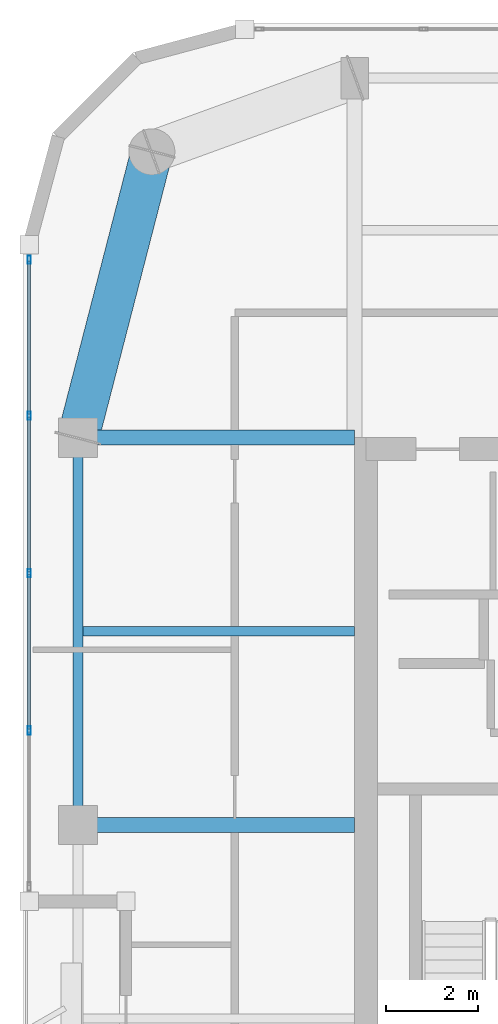
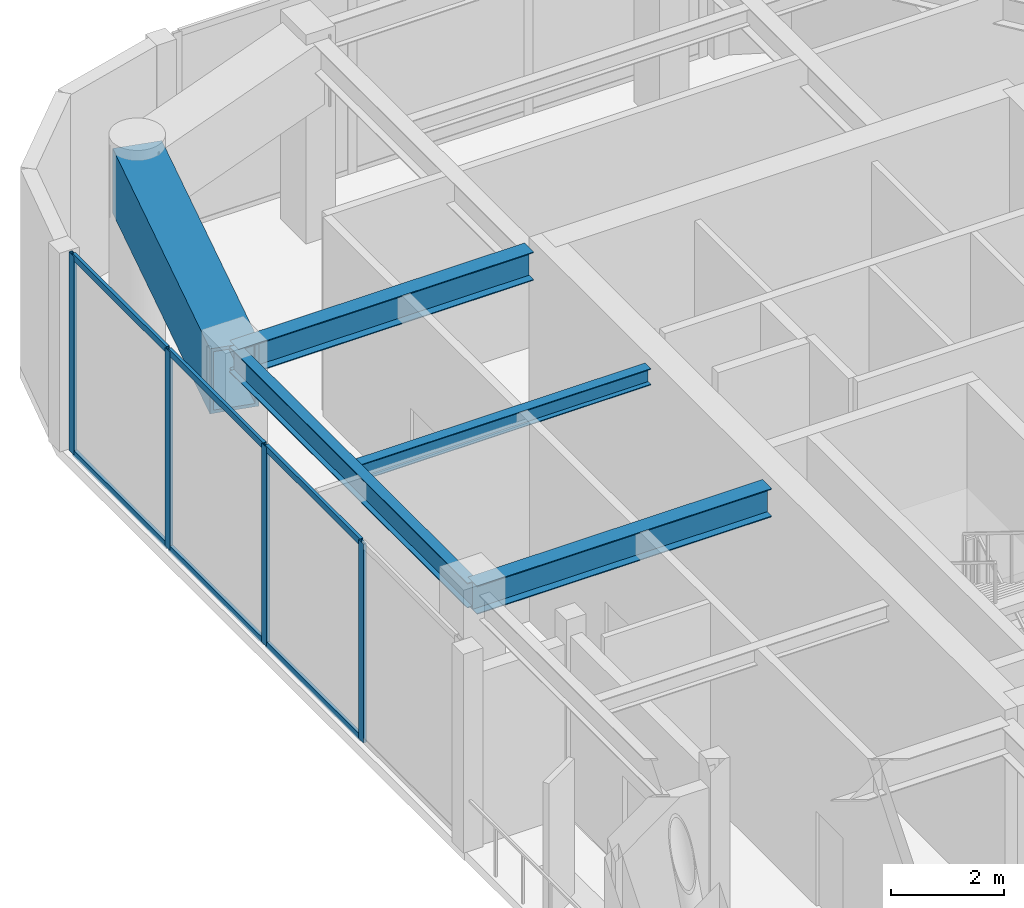
# One storey, part 4 of 15: 10 members, 5 beams, 1 element without a shape of its own.
"""IFC4 building model written with IfcOpenShell, lengths in metres."""

from ifc_helpers import new_model, si_unit, direction, frame, origin, origin_2d, place, context, subcontext, project, spatial, hollow_rectangle, i_section, extrude, material, layer, layer_set, material_profile, profile_set, type_object, element, aggregate, save


model = new_model("IFC4")

# Units and contexts
model_context = context("Model", 3, precision=1e-05, world=origin(), true_north=direction((0.0, 1.0)))
body_context = subcontext(model_context, "Body", "Model", "MODEL_VIEW")
ifc_project = project(units=[si_unit("LENGTHUNIT", "METRE"), si_unit("AREAUNIT", "SQUARE_METRE"), si_unit("VOLUMEUNIT", "CUBIC_METRE"), si_unit("PLANEANGLEUNIT", "RADIAN"), si_unit("MASSUNIT", "GRAM", prefix="KILO")], contexts=[model_context])

# Site, building, storey
site_placement = place(None, origin())
site = spatial("IfcSite", under=ifc_project, at=site_placement, CompositionType="ELEMENT")
building_placement = place(site_placement, origin())
building = spatial("IfcBuilding", under=site, at=building_placement, Name="Kiyonajd Concourse Tower", CompositionType="ELEMENT")
storey_placement = place(building_placement, frame((0.0, 0.0, 342.0)))
storey = spatial("IfcBuildingStorey", under=building, at=storey_placement, Name="L86", CompositionType="ELEMENT", Elevation=342.0)

# Beams
ifc_material_1 = material(Name="Steel ASTM A992 Grade 50", Category="steel")
ifc_material_profile_1 = material_profile(ifc_material_1, i_section(OverallWidth=0.205078125, OverallDepth=0.35400390625, WebThickness=0.009521484375, FlangeThickness=0.016845703125, at=origin_2d()), Name="W360X79")
ifc_profile_set_1 = profile_set([ifc_material_profile_1], Name="Steel ASTM A992 Grade 50")
beam_type_1 = type_object("IfcBeamType", Name="BM-JST-360", PredefinedType="JOIST", material=ifc_profile_set_1)
beam_1_placement = place(storey_placement, frame((26.505615234375, 40.199951171875, 4.10302734375), z_axis=(1.0, 0.0, 0.0), x_axis=(0.0, 1.0, 0.0)))
element("IfcBeam", 1, at=beam_1_placement, inside=storey, type_object=beam_type_1, Name="L86 West Secondary Floor Joist", PredefinedType="JOIST", context=body_context, shape_type="SweptSolid", body=[
    extrude(i_section(OverallWidth=0.205078125, OverallDepth=0.35400390625, WebThickness=0.009521484375, FlangeThickness=0.016845703125, at=origin_2d()), origin(), (0.0, 0.0, 1.0), 5.894287109375),
])
ifc_material_profile_2 = material_profile(ifc_material_1, i_section(OverallWidth=0.2109375, OverallDepth=0.5390625, WebThickness=0.01171875, FlangeThickness=0.018798828125, at=origin_2d()), Name="W530X109")
ifc_profile_set_2 = profile_set([ifc_material_profile_2], Name="Steel ASTM A992 Grade 50")
beam_type_2 = type_object("IfcBeamType", Name="BM-SPAN-530B", PredefinedType="SPANDREL", material=ifc_profile_set_2)
beam_2_placement = place(storey_placement, frame((26.39990234375, 44.39990234375, 4.010498046875), z_axis=(0.0, -1.0, 0.0), x_axis=(1.0, 0.0, 0.0)))
element("IfcBeam", 2, at=beam_2_placement, inside=storey, type_object=beam_type_2, Name="L86 Perimeter Bundled Tube Spandrel", PredefinedType="SPANDREL", context=body_context, shape_type="SweptSolid", body=[
    extrude(i_section(OverallWidth=0.2109375, OverallDepth=0.5390625, WebThickness=0.01171875, FlangeThickness=0.018798828125, at=origin_2d()), origin(), (0.0, 0.0, 1.0), 8.39990234375),
])
ifc_material_profile_3 = material_profile(ifc_material_1, i_section(OverallWidth=0.323974609375, OverallDepth=0.611083984375, WebThickness=0.0126953125, FlangeThickness=0.01904296875, at=origin_2d()), Name="W610X155")
ifc_profile_set_3 = profile_set([ifc_material_profile_3], Name="Steel ASTM A992 Grade 50")
beam_type_3 = type_object("IfcBeamType", Name="BM-TWR-610B", PredefinedType="BEAM", material=ifc_profile_set_3)
for number, where, z_axis, x_axis, name in (
    (3, (26.39990234375, 36.0, 3.974609375), (1.0, 0.0, 0.0), (0.0, 1.0, 0.0), "L86 West Lease Girder"),
    (4, (26.39990234375, 44.39990234375, 3.974609375), (1.0, 0.0, 0.0), (0.0, 1.0, 0.0), "L86 West Lease Girder"),
):
    element("IfcBeam", number, at=place(storey_placement, frame(where, z_axis=z_axis, x_axis=x_axis)), inside=storey, type_object=beam_type_3, Name=name, PredefinedType="BEAM", context=body_context, shape_type="SweptSolid", body=[
        extrude(i_section(OverallWidth=0.323974609375, OverallDepth=0.611083984375, WebThickness=0.0126953125, FlangeThickness=0.01904296875, at=origin_2d()), origin(), (0.0, 0.0, 1.0), 6.0),
    ])
ifc_material_2 = material(Name="Steel ASTM A572 Grade 50", Category="steel")
ifc_material_profile_4 = material_profile(ifc_material_2, hollow_rectangle(XDim=0.89990234375, YDim=1.39990234375, WallThickness=0.070068359375, at=origin_2d()), Name="BOX-1400x900x70")
ifc_profile_set_4 = profile_set([ifc_material_profile_4], Name="Steel ASTM A572 Grade 50")
beam_type_4 = type_object("IfcBeamType", Name="BM-XFER-1400", PredefinedType="BEAM", material=ifc_profile_set_4)
beam_3_placement = place(storey_placement, frame((28.0, 50.60009765625, 3.580078125), z_axis=(-0.249884937687, -0.968275538221, 0.0), x_axis=(0.968275538221, -0.249884937687, 0.0)))
element("IfcBeam", 5, at=beam_3_placement, inside=storey, type_object=beam_type_4, Name="L86 Perimeter Bundled Tube Spandrel", PredefinedType="BEAM", context=body_context, shape_type="SweptSolid", body=[
    extrude(hollow_rectangle(XDim=0.89990234375, YDim=1.39990234375, WallThickness=0.070068359375, at=origin_2d()), origin(), (0.0, 0.0, 1.0), 6.4033203125),
])

# Curtain wall, members
ifc_material_3 = material(Name="Thermally Broken Anodised Aluminium", Category="aluminium")
ifc_layer = layer(ifc_material_3, 0.179931640625)
ifc_layer_set = layer_set([ifc_layer], Name="Thermally Broken Anodised Aluminium")
curtain_wall_type = type_object("IfcCurtainWallType", Name="CW-SYS-04", PredefinedType="NOTDEFINED", material=ifc_layer_set)
curtain_wall_placement = place(storey_placement, origin())
curtain_wall = element("IfcCurtainWall", 6, at=curtain_wall_placement, inside=storey, type_object=curtain_wall_type, Name="L86 Unitised Curtain Wall CW4", PredefinedType="NOTDEFINED")
ifc_material_profile_5 = material_profile(ifc_material_3, hollow_rectangle(XDim=0.06494140625, YDim=0.179931640625, WallThickness=0.00390625, at=origin_2d()), Name="MULL-65x180")
ifc_profile_set_5 = profile_set([ifc_material_profile_5], Name="Thermally Broken Anodised Aluminium")
member_type_1 = type_object("IfcMemberType", Name="MB-CW-MULL1", PredefinedType="MULLION", material=ifc_profile_set_5)
member_1_placement = place(storey_placement, frame((25.340087890625, 38.04541015625, 0.0), z_axis=(0.0, 0.0, 1.0), x_axis=(-1.0, 0.0, 0.0)))
member_1 = element("IfcMember", 7, at=member_1_placement, type_object=member_type_1, Name="CW4 mullion 2", PredefinedType="MULLION", context=body_context, shape_type="SweptSolid", body=[
    extrude(hollow_rectangle(XDim=0.06494140625, YDim=0.179931640625, WallThickness=0.00390625, at=origin_2d()), origin(), (0.0, 0.0, 1.0), 4.280029296875),
])
member_2_placement = place(storey_placement, frame((25.340087890625, 41.460693359375, 0.0), z_axis=(0.0, 0.0, 1.0), x_axis=(-1.0, 0.0, 0.0)))
member_2 = element("IfcMember", 8, at=member_2_placement, type_object=member_type_1, Name="CW4 mullion 3", PredefinedType="MULLION", context=body_context, shape_type="SweptSolid", body=[
    extrude(hollow_rectangle(XDim=0.06494140625, YDim=0.179931640625, WallThickness=0.00390625, at=origin_2d()), origin(), (0.0, 0.0, 1.0), 4.280029296875),
])
member_3_placement = place(storey_placement, frame((25.340087890625, 44.876220703125, 0.0), z_axis=(0.0, 0.0, 1.0), x_axis=(-1.0, 0.0, 0.0)))
member_3 = element("IfcMember", 9, at=member_3_placement, type_object=member_type_1, Name="CW4 mullion 4", PredefinedType="MULLION", context=body_context, shape_type="SweptSolid", body=[
    extrude(hollow_rectangle(XDim=0.06494140625, YDim=0.179931640625, WallThickness=0.00390625, at=origin_2d()), origin(), (0.0, 0.0, 1.0), 4.280029296875),
])
member_4_placement = place(storey_placement, frame((25.340087890625, 48.259033203125, 0.0), z_axis=(0.0, 0.0, 1.0), x_axis=(-1.0, 0.0, 0.0)))
member_4 = element("IfcMember", 10, at=member_4_placement, type_object=member_type_1, Name="CW4 mullion 5", PredefinedType="MULLION", context=body_context, shape_type="SweptSolid", body=[
    extrude(hollow_rectangle(XDim=0.06494140625, YDim=0.179931640625, WallThickness=0.00390625, at=origin_2d()), origin(), (0.0, 0.0, 1.0), 4.280029296875),
])
ifc_material_profile_6 = material_profile(ifc_material_3, hollow_rectangle(XDim=0.06494140625, YDim=0.139892578125, WallThickness=0.00390625, at=origin_2d()), Name="TRAN-65x140")
ifc_profile_set_6 = profile_set([ifc_material_profile_6], Name="Thermally Broken Anodised Aluminium")
member_type_2 = type_object("IfcMemberType", Name="MB-CW-TRAN1", PredefinedType="USERDEFINED", material=ifc_profile_set_6)
member_5_placement = place(storey_placement, frame((25.340087890625, 38.077880859375, 0.032470703125), z_axis=(0.0, 1.0, 0.0), x_axis=(-1.0, 0.0, 0.0)))
member_5 = element("IfcMember", 11, at=member_5_placement, type_object=member_type_2, Name="CW4 transom 2.1", ObjectType="TRANSOM", PredefinedType="USERDEFINED", context=body_context, shape_type="SweptSolid", body=[
    extrude(hollow_rectangle(XDim=0.06494140625, YDim=0.139892578125, WallThickness=0.00390625, at=origin_2d()), origin(), (0.0, 0.0, 1.0), 3.350341796875),
])
member_6_placement = place(storey_placement, frame((25.340087890625, 38.077880859375, 4.24755859375), z_axis=(0.0, 1.0, 0.0), x_axis=(-1.0, 0.0, 0.0)))
member_6 = element("IfcMember", 12, at=member_6_placement, type_object=member_type_2, Name="CW4 transom 2.2", ObjectType="TRANSOM", PredefinedType="USERDEFINED", context=body_context, shape_type="SweptSolid", body=[
    extrude(hollow_rectangle(XDim=0.06494140625, YDim=0.139892578125, WallThickness=0.00390625, at=origin_2d()), origin(), (0.0, 0.0, 1.0), 3.350341796875),
])
member_7_placement = place(storey_placement, frame((25.340087890625, 41.493408203125, 0.032470703125), z_axis=(0.0, 1.0, 0.0), x_axis=(-1.0, 0.0, 0.0)))
member_7 = element("IfcMember", 13, at=member_7_placement, type_object=member_type_2, Name="CW4 transom 3.1", ObjectType="TRANSOM", PredefinedType="USERDEFINED", context=body_context, shape_type="SweptSolid", body=[
    extrude(hollow_rectangle(XDim=0.06494140625, YDim=0.139892578125, WallThickness=0.00390625, at=origin_2d()), origin(), (0.0, 0.0, 1.0), 3.350341796875),
])
member_8_placement = place(storey_placement, frame((25.340087890625, 41.493408203125, 4.24755859375), z_axis=(0.0, 1.0, 0.0), x_axis=(-1.0, 0.0, 0.0)))
member_8 = element("IfcMember", 14, at=member_8_placement, type_object=member_type_2, Name="CW4 transom 3.2", ObjectType="TRANSOM", PredefinedType="USERDEFINED", context=body_context, shape_type="SweptSolid", body=[
    extrude(hollow_rectangle(XDim=0.06494140625, YDim=0.139892578125, WallThickness=0.00390625, at=origin_2d()), origin(), (0.0, 0.0, 1.0), 3.350341796875),
])
member_9_placement = place(storey_placement, frame((25.340087890625, 44.90869140625, 0.032470703125), z_axis=(0.0, 1.0, 0.0), x_axis=(-1.0, 0.0, 0.0)))
member_9 = element("IfcMember", 15, at=member_9_placement, type_object=member_type_2, Name="CW4 transom 4.1", ObjectType="TRANSOM", PredefinedType="USERDEFINED", context=body_context, shape_type="SweptSolid", body=[
    extrude(hollow_rectangle(XDim=0.06494140625, YDim=0.139892578125, WallThickness=0.00390625, at=origin_2d()), origin(), (0.0, 0.0, 1.0), 3.31787109375),
])
member_10_placement = place(storey_placement, frame((25.340087890625, 44.90869140625, 4.24755859375), z_axis=(0.0, 1.0, 0.0), x_axis=(-1.0, 0.0, 0.0)))
member_10 = element("IfcMember", 16, at=member_10_placement, type_object=member_type_2, Name="CW4 transom 4.2", ObjectType="TRANSOM", PredefinedType="USERDEFINED", context=body_context, shape_type="SweptSolid", body=[
    extrude(hollow_rectangle(XDim=0.06494140625, YDim=0.139892578125, WallThickness=0.00390625, at=origin_2d()), origin(), (0.0, 0.0, 1.0), 3.31787109375),
])
aggregate(curtain_wall, [member_1, member_2, member_3, member_4, member_5, member_6, member_7, member_8, member_9, member_10])

save(model, "model.ifc")
